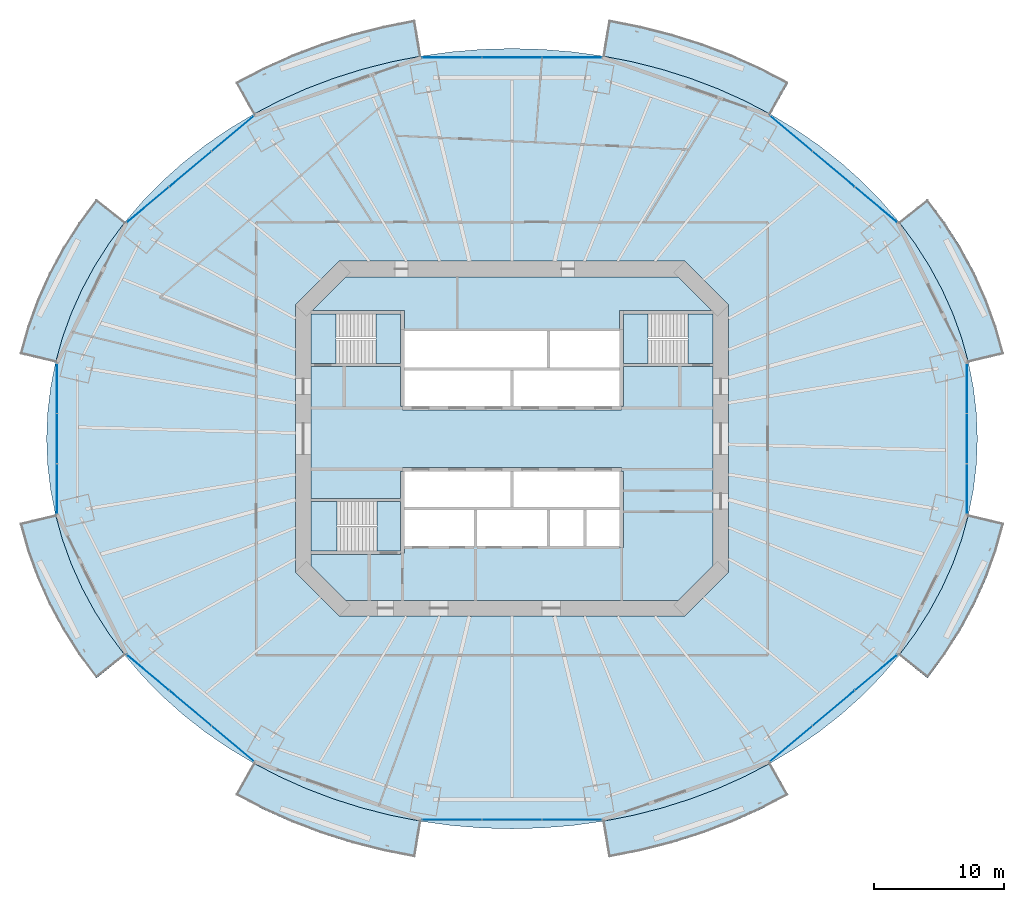
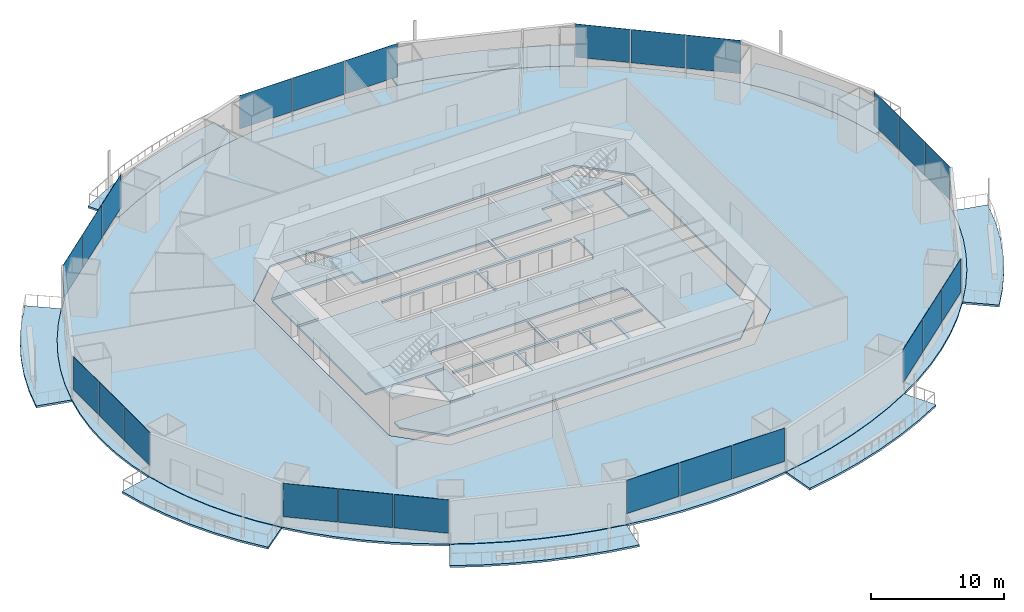
# One storey, part 12 of 22: 24 plates, 17 slabs, 11 elements without a shape of their own.
"""IFC4 building model written with IfcOpenShell, lengths in metres."""

from ifc_helpers import new_model, si_unit, direction, frame, origin, origin_2d, place, context, subcontext, project, spatial, polyline, rectangle, outline, extrude, material, layer, layer_set, type_object, element, aggregate, save


model = new_model("IFC4")

# Units and contexts
model_context = context("Model", 3, precision=1e-05, world=origin(), true_north=direction((0.0, 1.0)))
body_context = subcontext(model_context, "Body", "Model", "MODEL_VIEW")
ifc_project = project(units=[si_unit("LENGTHUNIT", "METRE"), si_unit("AREAUNIT", "SQUARE_METRE"), si_unit("VOLUMEUNIT", "CUBIC_METRE"), si_unit("PLANEANGLEUNIT", "RADIAN"), si_unit("MASSUNIT", "GRAM", prefix="KILO")], contexts=[model_context])

# Site, building, storey
site_placement = place(None, origin())
site = spatial("IfcSite", under=ifc_project, at=site_placement, CompositionType="ELEMENT")
building_placement = place(site_placement, origin())
building = spatial("IfcBuilding", under=site, at=building_placement, Name="Marenthal Gate Tower", CompositionType="ELEMENT")
storey_placement = place(building_placement, frame((0.0, 0.0, 78.64990234375)))
storey = spatial("IfcBuildingStorey", under=building, at=storey_placement, Name="L15", CompositionType="ELEMENT", Elevation=78.64990234375)

# Slabs
ifc_material_1 = material(Name="Concrete 40 MPa", Category="concrete")
ifc_layer_1 = layer(ifc_material_1, 0.179931640625)
ifc_layer_set_1 = layer_set([ifc_layer_1], Name="Balcony deck 180")
slab_type_1 = type_object("IfcSlabType", Name="Balcony deck 180", PredefinedType="USERDEFINED", material=ifc_layer_set_1)
slab_1_placement = place(storey_placement, frame((0.0, 0.0, -0.219970703125)))
element("IfcSlab", 1, at=slab_1_placement, inside=storey, type_object=slab_type_1, Name="Balcony deck L15 bay 1", ObjectType="BALCONY", PredefinedType="USERDEFINED", context=body_context, shape_type="SweptSolid", body=[
    extrude(outline(polyline([(34.987548828125, 5.833984375), (34.45751953125, 7.73974609375), (33.77978515625, 9.6123046875), (32.95751953125, 11.44384765625), (31.994140625, 13.226318359375), (30.893798828125, 14.951904296875), (29.660888671875, 16.61376953125), (31.8505859375, 18.359130859375), (33.19970703125, 16.540283203125), (34.407470703125, 14.64599609375), (35.4677734375, 12.68408203125), (36.375, 10.663330078125), (37.12451171875, 8.59228515625), (37.7119140625, 6.48046875), (34.987548828125, 5.833984375)])), origin(), (0.0, 0.0, 1.0), 0.18017578125),
])
slab_2_placement = place(storey_placement, frame((0.0, 0.0, -0.219970703125)))
element("IfcSlab", 2, at=slab_2_placement, inside=storey, type_object=slab_type_1, Name="Balcony deck L15 bay 3", ObjectType="BALCONY", PredefinedType="USERDEFINED", context=body_context, shape_type="SweptSolid", body=[
    extrude(outline(polyline([(19.81884765625, 24.8642578125), (17.83642578125, 25.897705078125), (15.77783203125, 26.820068359375), (13.651611328125, 27.627685546875), (11.466796875, 28.31689453125), (9.23291015625, 28.885009765625), (6.95947265625, 29.329345703125), (7.419921875, 32.09130859375), (9.846435546875, 31.616943359375), (12.233154296875, 31.010009765625), (14.570068359375, 30.272705078125), (16.847412109375, 29.40771484375), (19.056396484375, 28.41796875), (21.187255859375, 27.30712890625), (19.81884765625, 24.8642578125)])), origin(), (0.0, 0.0, 1.0), 0.18017578125),
])
slab_3_placement = place(storey_placement, frame((0.0, 0.0, -0.219970703125)))
element("IfcSlab", 3, at=slab_3_placement, inside=storey, type_object=slab_type_1, Name="Balcony deck L15 bay 5", ObjectType="BALCONY", PredefinedType="USERDEFINED", context=body_context, shape_type="SweptSolid", body=[
    extrude(outline(polyline([(-6.95947265625, 29.329345703125), (-9.23291015625, 28.885009765625), (-11.466796875, 28.31689453125), (-13.651611328125, 27.627685546875), (-15.77783203125, 26.820068359375), (-17.83642578125, 25.897705078125), (-19.81884765625, 24.8642578125), (-21.187255859375, 27.30712890625), (-19.056396484375, 28.41796875), (-16.847412109375, 29.40771484375), (-14.570068359375, 30.272705078125), (-12.233154296875, 31.010009765625), (-9.846435546875, 31.616943359375), (-7.419921875, 32.09130859375), (-6.95947265625, 29.329345703125)])), origin(), (0.0, 0.0, 1.0), 0.18017578125),
])
slab_4_placement = place(storey_placement, frame((0.0, 0.0, -0.219970703125)))
element("IfcSlab", 4, at=slab_4_placement, inside=storey, type_object=slab_type_1, Name="Balcony deck L15 bay 7", ObjectType="BALCONY", PredefinedType="USERDEFINED", context=body_context, shape_type="SweptSolid", body=[
    extrude(outline(polyline([(-29.660888671875, 16.61376953125), (-30.893798828125, 14.951904296875), (-31.994140625, 13.226318359375), (-32.95751953125, 11.44384765625), (-33.77978515625, 9.6123046875), (-34.45751953125, 7.73974609375), (-34.987548828125, 5.833984375), (-37.7119140625, 6.48046875), (-37.12451171875, 8.59228515625), (-36.375, 10.663330078125), (-35.4677734375, 12.68408203125), (-34.407470703125, 14.64599609375), (-33.19970703125, 16.540283203125), (-31.8505859375, 18.359130859375), (-29.660888671875, 16.61376953125)])), origin(), (0.0, 0.0, 1.0), 0.18017578125),
])
slab_5_placement = place(storey_placement, frame((0.0, 0.0, -0.219970703125)))
element("IfcSlab", 5, at=slab_5_placement, inside=storey, type_object=slab_type_1, Name="Balcony deck L15 bay 9", ObjectType="BALCONY", PredefinedType="USERDEFINED", context=body_context, shape_type="SweptSolid", body=[
    extrude(outline(polyline([(-34.987548828125, -5.833984375), (-34.45751953125, -7.73974609375), (-33.77978515625, -9.6123046875), (-32.95751953125, -11.44384765625), (-31.994140625, -13.226318359375), (-30.893798828125, -14.951904296875), (-29.660888671875, -16.61376953125), (-31.8505859375, -18.359130859375), (-33.19970703125, -16.540283203125), (-34.407470703125, -14.64599609375), (-35.4677734375, -12.68408203125), (-36.375, -10.663330078125), (-37.12451171875, -8.59228515625), (-37.7119140625, -6.48046875), (-34.987548828125, -5.833984375)])), origin(), (0.0, 0.0, 1.0), 0.18017578125),
])
slab_6_placement = place(storey_placement, frame((0.0, 0.0, -0.219970703125)))
element("IfcSlab", 6, at=slab_6_placement, inside=storey, type_object=slab_type_1, Name="Balcony deck L15 bay 11", ObjectType="BALCONY", PredefinedType="USERDEFINED", context=body_context, shape_type="SweptSolid", body=[
    extrude(outline(polyline([(-19.81884765625, -24.8642578125), (-17.83642578125, -25.897705078125), (-15.77783203125, -26.820068359375), (-13.651611328125, -27.627685546875), (-11.466796875, -28.31689453125), (-9.23291015625, -28.885009765625), (-6.95947265625, -29.329345703125), (-7.419921875, -32.09130859375), (-9.846435546875, -31.616943359375), (-12.233154296875, -31.010009765625), (-14.570068359375, -30.272705078125), (-16.847412109375, -29.40771484375), (-19.056396484375, -28.41796875), (-21.187255859375, -27.30712890625), (-19.81884765625, -24.8642578125)])), origin(), (0.0, 0.0, 1.0), 0.18017578125),
])
slab_7_placement = place(storey_placement, frame((0.0, 0.0, -0.219970703125)))
element("IfcSlab", 7, at=slab_7_placement, inside=storey, type_object=slab_type_1, Name="Balcony deck L15 bay 13", ObjectType="BALCONY", PredefinedType="USERDEFINED", context=body_context, shape_type="SweptSolid", body=[
    extrude(outline(polyline([(6.95947265625, -29.329345703125), (9.23291015625, -28.885009765625), (11.466796875, -28.31689453125), (13.651611328125, -27.627685546875), (15.77783203125, -26.820068359375), (17.83642578125, -25.897705078125), (19.81884765625, -24.8642578125), (21.187255859375, -27.30712890625), (19.056396484375, -28.41796875), (16.847412109375, -29.40771484375), (14.570068359375, -30.272705078125), (12.233154296875, -31.010009765625), (9.846435546875, -31.616943359375), (7.419921875, -32.09130859375), (6.95947265625, -29.329345703125)])), origin(), (0.0, 0.0, 1.0), 0.18017578125),
])
slab_8_placement = place(storey_placement, frame((0.0, 0.0, -0.219970703125)))
element("IfcSlab", 8, at=slab_8_placement, inside=storey, type_object=slab_type_1, Name="Balcony deck L15 bay 15", ObjectType="BALCONY", PredefinedType="USERDEFINED", context=body_context, shape_type="SweptSolid", body=[
    extrude(outline(polyline([(29.660888671875, -16.61376953125), (30.893798828125, -14.951904296875), (31.994140625, -13.226318359375), (32.95751953125, -11.44384765625), (33.77978515625, -9.6123046875), (34.45751953125, -7.73974609375), (34.987548828125, -5.833984375), (37.7119140625, -6.48046875), (37.12451171875, -8.59228515625), (36.375, -10.663330078125), (35.4677734375, -12.68408203125), (34.407470703125, -14.64599609375), (33.19970703125, -16.540283203125), (31.8505859375, -18.359130859375), (29.660888671875, -16.61376953125)])), origin(), (0.0, 0.0, 1.0), 0.18017578125),
])
ifc_material_2 = material(Name="Concrete 50 MPa", Category="concrete")
ifc_layer_2 = layer(ifc_material_2, 0.179931640625)
ifc_layer_set_2 = layer_set([ifc_layer_2], Name="Core floor slab 180")
slab_type_2 = type_object("IfcSlabType", Name="Core floor slab 180", PredefinedType="FLOOR", material=ifc_layer_set_2)
slab_9_placement = place(storey_placement, frame((0.0, 0.0, -0.179931640625)))
element("IfcSlab", 9, at=slab_9_placement, inside=storey, type_object=slab_type_2, Name="Core floor L15", PredefinedType="FLOOR", context=body_context, shape_type="SweptSolid", body=[
    extrude(outline(polyline([(15.39990234375, -9.75146484375), (12.75146484375, -12.39990234375), (-12.75146484375, -12.39990234375), (-15.39990234375, -9.75146484375), (-15.39990234375, -8.875), (-8.550048828125, -8.875), (-8.550048828125, -8.75), (-8.25, -8.75), (-8.25, -8.239990234375), (-5.60009765625, -8.239990234375), (-2.909912109375, -8.239990234375), (-2.909912109375, -5.4599609375), (-5.60009765625, -5.4599609375), (-8.25, -5.4599609375), (-8.25, -5.239990234375), (-5.60009765625, -5.239990234375), (-2.800048828125, -5.239990234375), (-0.110107421875, -5.239990234375), (-0.110107421875, -2.5), (0.110107421875, -2.5), (0.110107421875, -5.239990234375), (2.800048828125, -5.239990234375), (5.60009765625, -5.239990234375), (8.25, -5.239990234375), (8.25, -5.4599609375), (5.7099609375, -5.4599609375), (5.7099609375, -8.239990234375), (8.25, -8.239990234375), (8.25, -8.35009765625), (8.550048828125, -8.35009765625), (8.550048828125, -2.5), (8.39990234375, -2.5), (8.39990234375, -2.199951171875), (-8.39990234375, -2.199951171875), (-8.39990234375, -2.5), (-8.550048828125, -2.5), (-8.550048828125, -4.574951171875), (-15.39990234375, -4.574951171875), (-15.39990234375, 5.52490234375), (-8.550048828125, 5.52490234375), (-8.550048828125, 2.5), (-8.39990234375, 2.5), (-8.39990234375, 2.199951171875), (8.39990234375, 2.199951171875), (8.39990234375, 2.5), (8.550048828125, 2.5), (8.550048828125, 5.52490234375), (15.39990234375, 5.52490234375), (15.39990234375, -9.75146484375)]), holes=[polyline([(2.68994140625, -5.4599609375), (0.0, -5.4599609375), (-2.68994140625, -5.4599609375), (-2.68994140625, -8.239990234375), (0.0, -8.239990234375), (2.68994140625, -8.239990234375), (2.68994140625, -5.4599609375)]), polyline([(5.489990234375, -5.4599609375), (2.909912109375, -5.4599609375), (2.909912109375, -8.239990234375), (5.489990234375, -8.239990234375), (5.489990234375, -5.4599609375)])]), origin(), (0.0, 0.0, 1.0), 0.179931640625),
])
slab_10_placement = place(storey_placement, frame((0.0, 0.0, -0.179931640625)))
element("IfcSlab", 10, at=slab_10_placement, inside=storey, type_object=slab_type_2, Name="Core floor L15", PredefinedType="FLOOR", context=body_context, shape_type="SweptSolid", body=[
    extrude(outline(polyline([(15.39990234375, 5.77490234375), (13.5, 5.77490234375), (13.5, 9.574951171875), (15.39990234375, 9.574951171875), (15.39990234375, 5.77490234375)])), origin(), (0.0, 0.0, 1.0), 0.179931640625),
])
slab_11_placement = place(storey_placement, frame((0.0, 0.0, -0.179931640625)))
element("IfcSlab", 11, at=slab_11_placement, inside=storey, type_object=slab_type_2, Name="Core floor L15", PredefinedType="FLOOR", context=body_context, shape_type="SweptSolid", body=[
    extrude(outline(polyline([(12.75146484375, 12.39990234375), (15.326416015625, 9.824951171875), (8.550048828125, 9.824951171875), (8.25, 9.824951171875), (8.25, 8.35009765625), (8.25, 8.239990234375), (5.60009765625, 8.239990234375), (2.909912109375, 8.239990234375), (2.909912109375, 5.4599609375), (5.60009765625, 5.4599609375), (8.25, 5.4599609375), (8.25, 5.239990234375), (5.60009765625, 5.239990234375), (2.800048828125, 5.239990234375), (0.110107421875, 5.239990234375), (0.110107421875, 2.5), (-0.110107421875, 2.5), (-0.110107421875, 5.239990234375), (-2.800048828125, 5.239990234375), (-5.60009765625, 5.239990234375), (-8.25, 5.239990234375), (-8.25, 5.4599609375), (-5.60009765625, 5.4599609375), (-2.800048828125, 5.4599609375), (0.0, 5.4599609375), (2.68994140625, 5.4599609375), (2.68994140625, 8.239990234375), (0.0, 8.239990234375), (-2.800048828125, 8.239990234375), (-5.60009765625, 8.239990234375), (-8.25, 8.239990234375), (-8.25, 8.35009765625), (-8.25, 9.824951171875), (-8.550048828125, 9.824951171875), (-15.326416015625, 9.824951171875), (-12.75146484375, 12.39990234375), (12.75146484375, 12.39990234375)])), origin(), (0.0, 0.0, 1.0), 0.179931640625),
])
slab_12_placement = place(storey_placement, frame((0.0, 0.0, -0.179931640625)))
element("IfcSlab", 12, at=slab_12_placement, inside=storey, type_object=slab_type_2, Name="Core floor L15", PredefinedType="FLOOR", context=body_context, shape_type="SweptSolid", body=[
    extrude(outline(polyline([(-15.39990234375, 9.574951171875), (-13.5, 9.574951171875), (-13.5, 5.77490234375), (-15.39990234375, 5.77490234375), (-15.39990234375, 9.574951171875)])), origin(), (0.0, 0.0, 1.0), 0.179931640625),
])
slab_13_placement = place(storey_placement, frame((0.0, 0.0, -0.179931640625)))
element("IfcSlab", 13, at=slab_13_placement, inside=storey, type_object=slab_type_2, Name="Core floor L15", PredefinedType="FLOOR", context=body_context, shape_type="SweptSolid", body=[
    extrude(outline(polyline([(-8.550048828125, -8.625), (-10.35009765625, -8.625), (-10.35009765625, -4.824951171875), (-8.550048828125, -4.824951171875), (-8.550048828125, -8.625)])), origin(), (0.0, 0.0, 1.0), 0.179931640625),
])
ifc_material_3 = material(Name="Concrete 35 MPa", Category="concrete")
ifc_layer_3 = layer(ifc_material_3, 0.179931640625)
ifc_layer_set_3 = layer_set([ifc_layer_3], Name="Floor slab 180")
slab_type_3 = type_object("IfcSlabType", Name="Floor slab 180", PredefinedType="FLOOR", material=ifc_layer_set_3)
slab_14_placement = place(storey_placement, frame((0.0, 0.0, -0.179931640625)))
element("IfcSlab", 14, at=slab_14_placement, inside=storey, type_object=slab_type_3, Name="SL-L15-01", PredefinedType="FLOOR", context=body_context, shape_type="SweptSolid", body=[
    extrude(outline(polyline([(35.673095703125, 0.0), (35.5966796875, 1.955810546875), (35.367919921875, 3.9033203125), (34.987548828125, 5.833984375), (34.45751953125, 7.73974609375), (33.77978515625, 9.6123046875), (32.95751953125, 11.44384765625), (31.994140625, 13.226318359375), (30.893798828125, 14.951904296875), (29.660888671875, 16.61376953125), (28.30126953125, 18.204345703125), (26.8203125, 19.717041015625), (25.224609375, 21.145263671875), (23.520751953125, 22.48291015625), (21.71630859375, 23.724365234375), (19.81884765625, 24.8642578125), (17.83642578125, 25.897705078125), (15.77783203125, 26.820068359375), (13.651611328125, 27.627685546875), (11.466796875, 28.31689453125), (9.23291015625, 28.885009765625), (6.95947265625, 29.329345703125), (4.65625, 29.648193359375), (2.3330078125, 29.840087890625), (0.0, 29.904052734375), (-2.3330078125, 29.840087890625), (-4.65625, 29.648193359375), (-6.95947265625, 29.329345703125), (-9.23291015625, 28.885009765625), (-11.466796875, 28.31689453125), (-13.651611328125, 27.627685546875), (-15.77783203125, 26.820068359375), (-17.83642578125, 25.897705078125), (-19.81884765625, 24.8642578125), (-21.71630859375, 23.724365234375), (-23.520751953125, 22.48291015625), (-25.224609375, 21.145263671875), (-26.8203125, 19.717041015625), (-28.30126953125, 18.204345703125), (-29.660888671875, 16.61376953125), (-30.893798828125, 14.951904296875), (-31.994140625, 13.226318359375), (-32.95751953125, 11.44384765625), (-33.77978515625, 9.6123046875), (-34.45751953125, 7.73974609375), (-34.987548828125, 5.833984375), (-35.367919921875, 3.9033203125), (-35.5966796875, 1.955810546875), (-35.673095703125, 0.0), (-35.5966796875, -1.955810546875), (-35.367919921875, -3.9033203125), (-34.987548828125, -5.833984375), (-34.45751953125, -7.73974609375), (-33.77978515625, -9.6123046875), (-32.95751953125, -11.44384765625), (-31.994140625, -13.226318359375), (-30.893798828125, -14.951904296875), (-29.660888671875, -16.61376953125), (-28.30126953125, -18.204345703125), (-26.8203125, -19.717041015625), (-25.224609375, -21.145263671875), (-23.520751953125, -22.48291015625), (-21.71630859375, -23.724365234375), (-19.81884765625, -24.8642578125), (-17.83642578125, -25.897705078125), (-15.77783203125, -26.820068359375), (-13.651611328125, -27.627685546875), (-11.466796875, -28.31689453125), (-9.23291015625, -28.885009765625), (-6.95947265625, -29.329345703125), (-4.65625, -29.648193359375), (-2.3330078125, -29.840087890625), (0.0, -29.904052734375), (2.3330078125, -29.840087890625), (4.65625, -29.648193359375), (6.95947265625, -29.329345703125), (9.23291015625, -28.885009765625), (11.466796875, -28.31689453125), (13.651611328125, -27.627685546875), (15.77783203125, -26.820068359375), (17.83642578125, -25.897705078125), (19.81884765625, -24.8642578125), (21.71630859375, -23.724365234375), (23.520751953125, -22.48291015625), (25.224609375, -21.145263671875), (26.8203125, -19.717041015625), (28.30126953125, -18.204345703125), (29.660888671875, -16.61376953125), (30.893798828125, -14.951904296875), (31.994140625, -13.226318359375), (32.95751953125, -11.44384765625), (33.77978515625, -9.6123046875), (34.45751953125, -7.73974609375), (34.987548828125, -5.833984375), (35.367919921875, -3.9033203125), (35.5966796875, -1.955810546875), (35.673095703125, 0.0)]), holes=[polyline([(13.24853515625, -13.60009765625), (16.60009765625, -10.24853515625), (16.60009765625, 10.24853515625), (13.24853515625, 13.60009765625), (-13.24853515625, 13.60009765625), (-16.60009765625, 10.24853515625), (-16.60009765625, -10.24853515625), (-13.24853515625, -13.60009765625), (13.24853515625, -13.60009765625)])]), origin(), (0.0, 0.0, 1.0), 0.179931640625),
])

# Curtain wall, plates
ifc_material_4 = material(Name="Aluminium and glass", Category="aluminium")
curtain_wall_type = type_object("IfcCurtainWallType", Name="Curtain wall typical low", PredefinedType="NOTDEFINED", material=ifc_material_4)
curtain_wall_1_placement = place(storey_placement, origin())
curtain_wall_1 = element("IfcCurtainWall", 15, at=curtain_wall_1_placement, inside=storey, type_object=curtain_wall_type, Name="Curtain wall L15 bay 2", PredefinedType="NOTDEFINED")
ifc_material_5 = material(Name="Glass, laminated insulating unit", Category="glass")
ifc_layer_4 = layer(ifc_material_5, 0.030029296875)
ifc_layer_set_4 = layer_set([ifc_layer_4], Name="Glass panel 30 typical low")
plate_type = type_object("IfcPlateType", Name="Glass panel 30 typical low", PredefinedType="CURTAIN_PANEL", material=ifc_layer_set_4)
plate_1_placement = place(storey_placement, frame((27.9111328125, 17.929443359375, 0.89990234375), z_axis=(0.0, 0.0, 1.0), x_axis=(-0.76655707885, 0.642176178992, 0.0)))
plate_1 = element("IfcPlate", 16, at=plate_1_placement, type_object=plate_type, Name="Glass panel L15 bay 2.1", PredefinedType="CURTAIN_PANEL", context=body_context, shape_type="SweptSolid", body=[
    extrude(rectangle(XDim=4.185302734375, YDim=0.030029296875, at=origin_2d()), origin(), (0.0, 0.0, 1.0), 3.070068359375),
])
plate_2_placement = place(storey_placement, frame((24.65673828125, 20.65576171875, 0.89990234375), z_axis=(0.0, 0.0, 1.0), x_axis=(-0.76655707885, 0.642176178992, 0.0)))
plate_2 = element("IfcPlate", 17, at=plate_2_placement, type_object=plate_type, Name="Glass panel L15 bay 2.2", PredefinedType="CURTAIN_PANEL", context=body_context, shape_type="SweptSolid", body=[
    extrude(rectangle(XDim=4.185302734375, YDim=0.030029296875, at=origin_2d()), origin(), (0.0, 0.0, 1.0), 3.070068359375),
])
plate_3_placement = place(storey_placement, frame((21.40234375, 23.382080078125, 0.89990234375), z_axis=(0.0, 0.0, 1.0), x_axis=(-0.76655707885, 0.642176178992, 0.0)))
plate_3 = element("IfcPlate", 18, at=plate_3_placement, type_object=plate_type, Name="Glass panel L15 bay 2.3", PredefinedType="CURTAIN_PANEL", context=body_context, shape_type="SweptSolid", body=[
    extrude(rectangle(XDim=4.185302734375, YDim=0.030029296875, at=origin_2d()), origin(), (0.0, 0.0, 1.0), 3.070068359375),
])
aggregate(curtain_wall_1, [plate_1, plate_2, plate_3])

curtain_wall_2_placement = place(storey_placement, origin())
curtain_wall_2 = element("IfcCurtainWall", 19, at=curtain_wall_2_placement, inside=storey, type_object=curtain_wall_type, Name="Curtain wall L15 bay 4", PredefinedType="NOTDEFINED")
plate_4_placement = place(storey_placement, frame((4.60400390625, 29.211669921875, 0.89990234375), z_axis=(0.0, 0.0, 1.0), x_axis=(-1.0, 0.0, 0.0)))
plate_4 = element("IfcPlate", 20, at=plate_4_placement, type_object=plate_type, Name="Glass panel L15 bay 4.1", PredefinedType="CURTAIN_PANEL", context=body_context, shape_type="SweptSolid", body=[
    extrude(rectangle(XDim=4.5439453125, YDim=0.030029296875, at=origin_2d()), origin(), (0.0, 0.0, 1.0), 3.070068359375),
])
plate_5_placement = place(storey_placement, frame((0.0, 29.211669921875, 0.89990234375), z_axis=(0.0, 0.0, 1.0), x_axis=(-1.0, 0.0, 0.0)))
plate_5 = element("IfcPlate", 21, at=plate_5_placement, type_object=plate_type, Name="Glass panel L15 bay 4.2", PredefinedType="CURTAIN_PANEL", context=body_context, shape_type="SweptSolid", body=[
    extrude(rectangle(XDim=4.5439453125, YDim=0.030029296875, at=origin_2d()), origin(), (0.0, 0.0, 1.0), 3.070068359375),
])
plate_6_placement = place(storey_placement, frame((-4.60400390625, 29.211669921875, 0.89990234375), z_axis=(0.0, 0.0, 1.0), x_axis=(-1.0, 0.0, 0.0)))
plate_6 = element("IfcPlate", 22, at=plate_6_placement, type_object=plate_type, Name="Glass panel L15 bay 4.3", PredefinedType="CURTAIN_PANEL", context=body_context, shape_type="SweptSolid", body=[
    extrude(rectangle(XDim=4.5439453125, YDim=0.030029296875, at=origin_2d()), origin(), (0.0, 0.0, 1.0), 3.070068359375),
])
aggregate(curtain_wall_2, [plate_4, plate_5, plate_6])

curtain_wall_3_placement = place(storey_placement, origin())
curtain_wall_3 = element("IfcCurtainWall", 23, at=curtain_wall_3_placement, inside=storey, type_object=curtain_wall_type, Name="Curtain wall L15 bay 6", PredefinedType="NOTDEFINED")
plate_7_placement = place(storey_placement, frame((-21.40234375, 23.382080078125, 0.89990234375), z_axis=(0.0, 0.0, 1.0), x_axis=(-0.76655707885, -0.642176178992, 0.0)))
plate_7 = element("IfcPlate", 24, at=plate_7_placement, type_object=plate_type, Name="Glass panel L15 bay 6.1", PredefinedType="CURTAIN_PANEL", context=body_context, shape_type="SweptSolid", body=[
    extrude(rectangle(XDim=4.185302734375, YDim=0.030029296875, at=origin_2d()), origin(), (0.0, 0.0, 1.0), 3.070068359375),
])
plate_8_placement = place(storey_placement, frame((-24.65673828125, 20.65576171875, 0.89990234375), z_axis=(0.0, 0.0, 1.0), x_axis=(-0.76655707885, -0.642176178992, 0.0)))
plate_8 = element("IfcPlate", 25, at=plate_8_placement, type_object=plate_type, Name="Glass panel L15 bay 6.2", PredefinedType="CURTAIN_PANEL", context=body_context, shape_type="SweptSolid", body=[
    extrude(rectangle(XDim=4.185302734375, YDim=0.030029296875, at=origin_2d()), origin(), (0.0, 0.0, 1.0), 3.070068359375),
])
plate_9_placement = place(storey_placement, frame((-27.9111328125, 17.929443359375, 0.89990234375), z_axis=(0.0, 0.0, 1.0), x_axis=(-0.76655707885, -0.642176178992, 0.0)))
plate_9 = element("IfcPlate", 26, at=plate_9_placement, type_object=plate_type, Name="Glass panel L15 bay 6.3", PredefinedType="CURTAIN_PANEL", context=body_context, shape_type="SweptSolid", body=[
    extrude(rectangle(XDim=4.185302734375, YDim=0.030029296875, at=origin_2d()), origin(), (0.0, 0.0, 1.0), 3.070068359375),
])
aggregate(curtain_wall_3, [plate_7, plate_8, plate_9])

curtain_wall_4_placement = place(storey_placement, origin())
curtain_wall_4 = element("IfcCurtainWall", 27, at=curtain_wall_4_placement, inside=storey, type_object=curtain_wall_type, Name="Curtain wall L15 bay 8", PredefinedType="NOTDEFINED")
plate_10_placement = place(storey_placement, frame((-34.869873046875, 3.853759765625, 0.89990234375), z_axis=(0.0, 0.0, 1.0), x_axis=(0.0, -1.0, 0.0)))
plate_10 = element("IfcPlate", 28, at=plate_10_placement, type_object=plate_type, Name="Glass panel L15 bay 8.1", PredefinedType="CURTAIN_PANEL", context=body_context, shape_type="SweptSolid", body=[
    extrude(rectangle(XDim=3.793701171875, YDim=0.030029296875, at=origin_2d()), origin(), (0.0, 0.0, 1.0), 3.070068359375),
])
plate_11_placement = place(storey_placement, frame((-34.869873046875, 0.0, 0.89990234375), z_axis=(0.0, 0.0, 1.0), x_axis=(0.0, -1.0, 0.0)))
plate_11 = element("IfcPlate", 29, at=plate_11_placement, type_object=plate_type, Name="Glass panel L15 bay 8.2", PredefinedType="CURTAIN_PANEL", context=body_context, shape_type="SweptSolid", body=[
    extrude(rectangle(XDim=3.793701171875, YDim=0.030029296875, at=origin_2d()), origin(), (0.0, 0.0, 1.0), 3.070068359375),
])
plate_12_placement = place(storey_placement, frame((-34.869873046875, -3.853759765625, 0.89990234375), z_axis=(0.0, 0.0, 1.0), x_axis=(0.0, -1.0, 0.0)))
plate_12 = element("IfcPlate", 30, at=plate_12_placement, type_object=plate_type, Name="Glass panel L15 bay 8.3", PredefinedType="CURTAIN_PANEL", context=body_context, shape_type="SweptSolid", body=[
    extrude(rectangle(XDim=3.793701171875, YDim=0.030029296875, at=origin_2d()), origin(), (0.0, 0.0, 1.0), 3.070068359375),
])
aggregate(curtain_wall_4, [plate_10, plate_11, plate_12])

curtain_wall_5_placement = place(storey_placement, origin())
curtain_wall_5 = element("IfcCurtainWall", 31, at=curtain_wall_5_placement, inside=storey, type_object=curtain_wall_type, Name="Curtain wall L15 bay 10", PredefinedType="NOTDEFINED")
plate_13_placement = place(storey_placement, frame((-27.9111328125, -17.929443359375, 0.89990234375), z_axis=(0.0, 0.0, 1.0), x_axis=(0.76655707885, -0.642176178992, 0.0)))
plate_13 = element("IfcPlate", 32, at=plate_13_placement, type_object=plate_type, Name="Glass panel L15 bay 10.1", PredefinedType="CURTAIN_PANEL", context=body_context, shape_type="SweptSolid", body=[
    extrude(rectangle(XDim=4.185302734375, YDim=0.030029296875, at=origin_2d()), origin(), (0.0, 0.0, 1.0), 3.070068359375),
])
plate_14_placement = place(storey_placement, frame((-24.65673828125, -20.65576171875, 0.89990234375), z_axis=(0.0, 0.0, 1.0), x_axis=(0.76655707885, -0.642176178992, 0.0)))
plate_14 = element("IfcPlate", 33, at=plate_14_placement, type_object=plate_type, Name="Glass panel L15 bay 10.2", PredefinedType="CURTAIN_PANEL", context=body_context, shape_type="SweptSolid", body=[
    extrude(rectangle(XDim=4.185302734375, YDim=0.030029296875, at=origin_2d()), origin(), (0.0, 0.0, 1.0), 3.070068359375),
])
plate_15_placement = place(storey_placement, frame((-21.40234375, -23.382080078125, 0.89990234375), z_axis=(0.0, 0.0, 1.0), x_axis=(0.76655707885, -0.642176178992, 0.0)))
plate_15 = element("IfcPlate", 34, at=plate_15_placement, type_object=plate_type, Name="Glass panel L15 bay 10.3", PredefinedType="CURTAIN_PANEL", context=body_context, shape_type="SweptSolid", body=[
    extrude(rectangle(XDim=4.185302734375, YDim=0.030029296875, at=origin_2d()), origin(), (0.0, 0.0, 1.0), 3.070068359375),
])
aggregate(curtain_wall_5, [plate_13, plate_14, plate_15])

curtain_wall_6_placement = place(storey_placement, origin())
curtain_wall_6 = element("IfcCurtainWall", 35, at=curtain_wall_6_placement, inside=storey, type_object=curtain_wall_type, Name="Curtain wall L15 bay 12", PredefinedType="NOTDEFINED")
plate_16_placement = place(storey_placement, frame((-4.60400390625, -29.211669921875, 0.89990234375), z_axis=(0.0, 0.0, 1.0), x_axis=(1.0, 0.0, 0.0)))
plate_16 = element("IfcPlate", 36, at=plate_16_placement, type_object=plate_type, Name="Glass panel L15 bay 12.1", PredefinedType="CURTAIN_PANEL", context=body_context, shape_type="SweptSolid", body=[
    extrude(rectangle(XDim=4.5439453125, YDim=0.030029296875, at=origin_2d()), origin(), (0.0, 0.0, 1.0), 3.070068359375),
])
plate_17_placement = place(storey_placement, frame((0.0, -29.211669921875, 0.89990234375), z_axis=(0.0, 0.0, 1.0), x_axis=(1.0, 0.0, 0.0)))
plate_17 = element("IfcPlate", 37, at=plate_17_placement, type_object=plate_type, Name="Glass panel L15 bay 12.2", PredefinedType="CURTAIN_PANEL", context=body_context, shape_type="SweptSolid", body=[
    extrude(rectangle(XDim=4.5439453125, YDim=0.030029296875, at=origin_2d()), origin(), (0.0, 0.0, 1.0), 3.070068359375),
])
plate_18_placement = place(storey_placement, frame((4.60400390625, -29.211669921875, 0.89990234375), z_axis=(0.0, 0.0, 1.0), x_axis=(1.0, 0.0, 0.0)))
plate_18 = element("IfcPlate", 38, at=plate_18_placement, type_object=plate_type, Name="Glass panel L15 bay 12.3", PredefinedType="CURTAIN_PANEL", context=body_context, shape_type="SweptSolid", body=[
    extrude(rectangle(XDim=4.5439453125, YDim=0.030029296875, at=origin_2d()), origin(), (0.0, 0.0, 1.0), 3.070068359375),
])
aggregate(curtain_wall_6, [plate_16, plate_17, plate_18])

curtain_wall_7_placement = place(storey_placement, origin())
curtain_wall_7 = element("IfcCurtainWall", 39, at=curtain_wall_7_placement, inside=storey, type_object=curtain_wall_type, Name="Curtain wall L15 bay 14", PredefinedType="NOTDEFINED")
plate_19_placement = place(storey_placement, frame((21.40234375, -23.382080078125, 0.89990234375), z_axis=(0.0, 0.0, 1.0), x_axis=(0.76655707885, 0.642176178992, 0.0)))
plate_19 = element("IfcPlate", 40, at=plate_19_placement, type_object=plate_type, Name="Glass panel L15 bay 14.1", PredefinedType="CURTAIN_PANEL", context=body_context, shape_type="SweptSolid", body=[
    extrude(rectangle(XDim=4.185302734375, YDim=0.030029296875, at=origin_2d()), origin(), (0.0, 0.0, 1.0), 3.070068359375),
])
plate_20_placement = place(storey_placement, frame((24.65673828125, -20.65576171875, 0.89990234375), z_axis=(0.0, 0.0, 1.0), x_axis=(0.76655707885, 0.642176178992, 0.0)))
plate_20 = element("IfcPlate", 41, at=plate_20_placement, type_object=plate_type, Name="Glass panel L15 bay 14.2", PredefinedType="CURTAIN_PANEL", context=body_context, shape_type="SweptSolid", body=[
    extrude(rectangle(XDim=4.185302734375, YDim=0.030029296875, at=origin_2d()), origin(), (0.0, 0.0, 1.0), 3.070068359375),
])
plate_21_placement = place(storey_placement, frame((27.9111328125, -17.929443359375, 0.89990234375), z_axis=(0.0, 0.0, 1.0), x_axis=(0.76655707885, 0.642176178992, 0.0)))
plate_21 = element("IfcPlate", 42, at=plate_21_placement, type_object=plate_type, Name="Glass panel L15 bay 14.3", PredefinedType="CURTAIN_PANEL", context=body_context, shape_type="SweptSolid", body=[
    extrude(rectangle(XDim=4.185302734375, YDim=0.030029296875, at=origin_2d()), origin(), (0.0, 0.0, 1.0), 3.070068359375),
])
aggregate(curtain_wall_7, [plate_19, plate_20, plate_21])

curtain_wall_8_placement = place(storey_placement, origin())
curtain_wall_8 = element("IfcCurtainWall", 43, at=curtain_wall_8_placement, inside=storey, type_object=curtain_wall_type, Name="Curtain wall L15 bay 16", PredefinedType="NOTDEFINED")
plate_22_placement = place(storey_placement, frame((34.869873046875, -3.853759765625, 0.89990234375), z_axis=(0.0, 0.0, 1.0), x_axis=(0.0, 1.0, 0.0)))
plate_22 = element("IfcPlate", 44, at=plate_22_placement, type_object=plate_type, Name="Glass panel L15 bay 16.1", PredefinedType="CURTAIN_PANEL", context=body_context, shape_type="SweptSolid", body=[
    extrude(rectangle(XDim=3.793701171875, YDim=0.030029296875, at=origin_2d()), origin(), (0.0, 0.0, 1.0), 3.070068359375),
])
plate_23_placement = place(storey_placement, frame((34.869873046875, 0.0, 0.89990234375), z_axis=(0.0, 0.0, 1.0), x_axis=(0.0, 1.0, 0.0)))
plate_23 = element("IfcPlate", 45, at=plate_23_placement, type_object=plate_type, Name="Glass panel L15 bay 16.2", PredefinedType="CURTAIN_PANEL", context=body_context, shape_type="SweptSolid", body=[
    extrude(rectangle(XDim=3.793701171875, YDim=0.030029296875, at=origin_2d()), origin(), (0.0, 0.0, 1.0), 3.070068359375),
])
plate_24_placement = place(storey_placement, frame((34.869873046875, 3.853759765625, 0.89990234375), z_axis=(0.0, 0.0, 1.0), x_axis=(0.0, 1.0, 0.0)))
plate_24 = element("IfcPlate", 46, at=plate_24_placement, type_object=plate_type, Name="Glass panel L15 bay 16.3", PredefinedType="CURTAIN_PANEL", context=body_context, shape_type="SweptSolid", body=[
    extrude(rectangle(XDim=3.793701171875, YDim=0.030029296875, at=origin_2d()), origin(), (0.0, 0.0, 1.0), 3.070068359375),
])
aggregate(curtain_wall_8, [plate_22, plate_23, plate_24])

# Stair, slab
ifc_material_6 = material(Name="Concrete 40 MPa", Category="concrete")
stair_type = type_object("IfcStairType", Name="Exit stair 1800", PredefinedType="HALF_TURN_STAIR", material=ifc_material_6)
stair_1_placement = place(storey_placement, origin())
stair_1 = element("IfcStair", 47, at=stair_1_placement, inside=storey, type_object=stair_type, Name="Stair ST1", PredefinedType="HALF_TURN_STAIR")
ifc_material_7 = material(Name="Concrete 40 MPa", Category="concrete")
ifc_layer_5 = layer(ifc_material_7, 0.199951171875)
ifc_layer_set_5 = layer_set([ifc_layer_5], Name="Stair landing 200")
slab_type_4 = type_object("IfcSlabType", Name="Stair landing 200", PredefinedType="LANDING", material=ifc_layer_set_5)
slab_15_placement = place(storey_placement, frame((0.0, 0.0, 1.875)))
slab_15 = element("IfcSlab", 48, at=slab_15_placement, type_object=slab_type_4, Name="ST1 landing 1", PredefinedType="LANDING", context=body_context, shape_type="SweptSolid", body=[
    extrude(outline(polyline([(-10.419921875, 5.77490234375), (-8.550048828125, 5.77490234375), (-8.550048828125, 9.574951171875), (-10.419921875, 9.574951171875), (-10.419921875, 5.77490234375)])), origin(), (0.0, 0.0, 1.0), 0.2001953125),
])
aggregate(stair_1, [slab_15])

stair_2_placement = place(storey_placement, origin())
stair_2 = element("IfcStair", 49, at=stair_2_placement, inside=storey, type_object=stair_type, Name="Stair ST2", PredefinedType="HALF_TURN_STAIR")
slab_16_placement = place(storey_placement, frame((0.0, 0.0, 1.875)))
slab_16 = element("IfcSlab", 50, at=slab_16_placement, type_object=slab_type_4, Name="ST2 landing 1", PredefinedType="LANDING", context=body_context, shape_type="SweptSolid", body=[
    extrude(outline(polyline([(-15.39990234375, -8.625), (-13.429931640625, -8.625), (-13.429931640625, -4.824951171875), (-15.39990234375, -4.824951171875), (-15.39990234375, -8.625)])), origin(), (0.0, 0.0, 1.0), 0.2001953125),
])
aggregate(stair_2, [slab_16])

stair_3_placement = place(storey_placement, origin())
stair_3 = element("IfcStair", 51, at=stair_3_placement, inside=storey, type_object=stair_type, Name="Stair ST3", PredefinedType="HALF_TURN_STAIR")
slab_17_placement = place(storey_placement, frame((0.0, 0.0, 1.875)))
slab_17 = element("IfcSlab", 52, at=slab_17_placement, type_object=slab_type_4, Name="ST3 landing 1", PredefinedType="LANDING", context=body_context, shape_type="SweptSolid", body=[
    extrude(outline(polyline([(8.550048828125, 5.77490234375), (10.419921875, 5.77490234375), (10.419921875, 9.574951171875), (8.550048828125, 9.574951171875), (8.550048828125, 5.77490234375)])), origin(), (0.0, 0.0, 1.0), 0.2001953125),
])
aggregate(stair_3, [slab_17])

save(model, "model.ifc")
